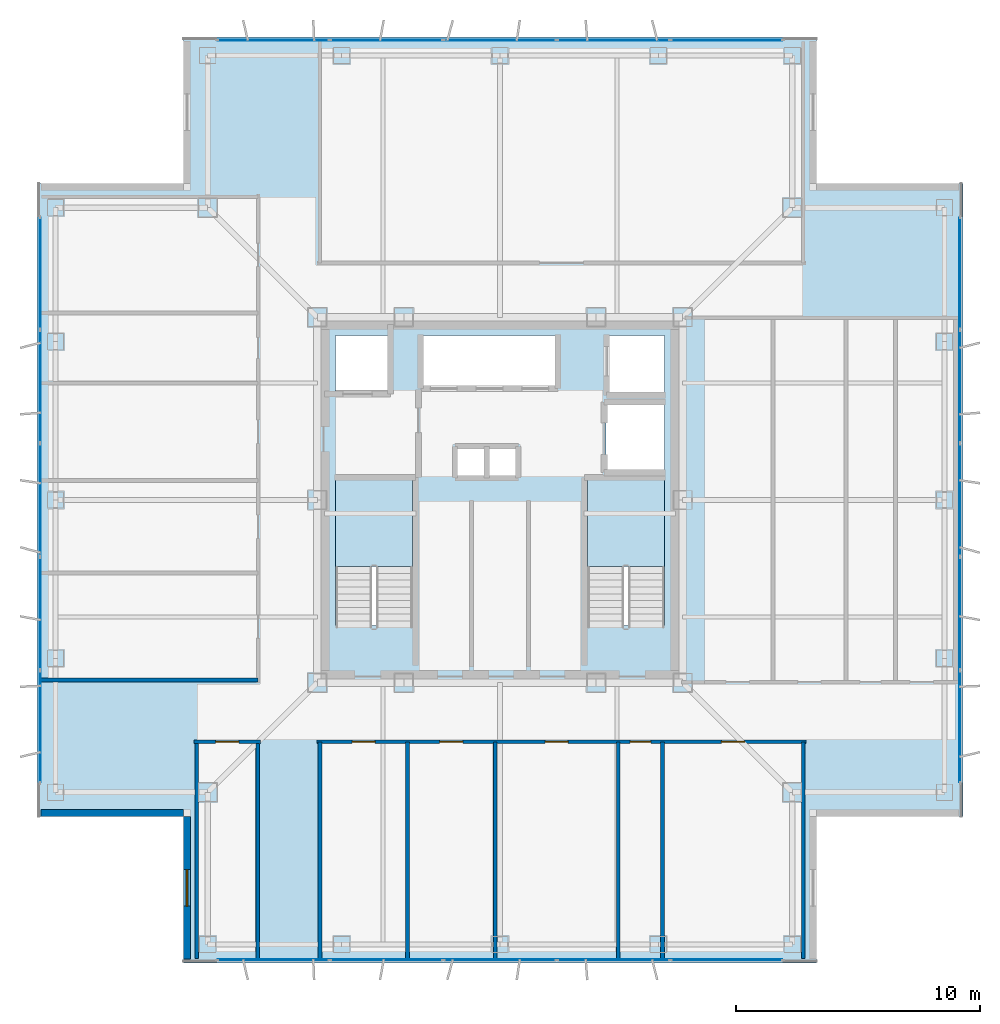
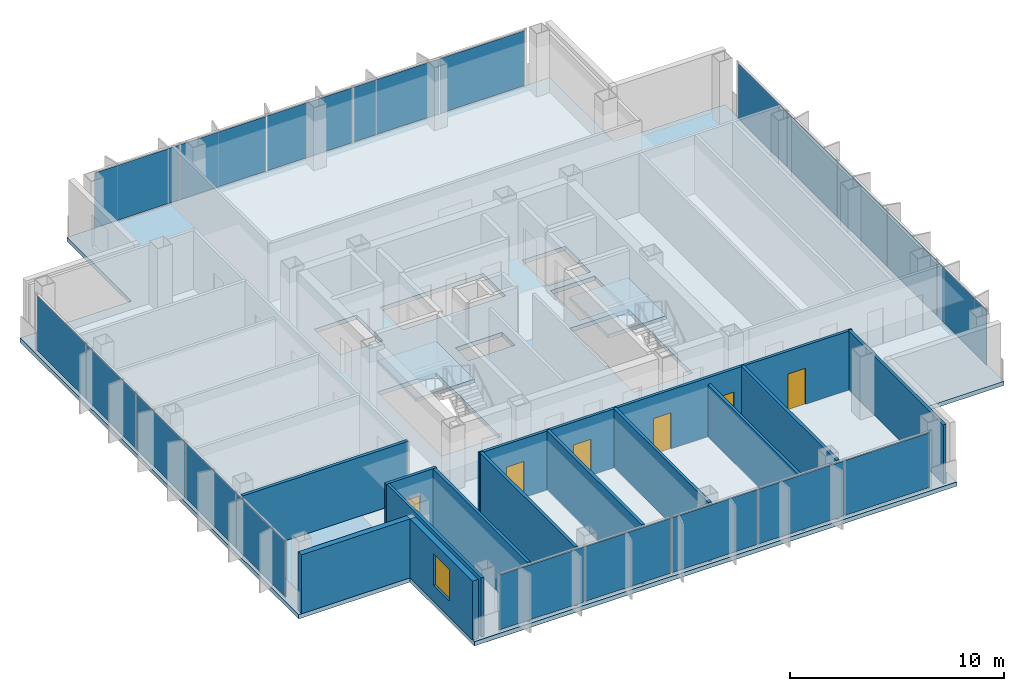
# One storey, part 7 of 15: 20 plates, 13 walls, 6 doors, 3 slabs, 1 window, 7 openings, 6 elements without a shape of their own.
"""IFC4 building model written with IfcOpenShell, lengths in metres."""

from ifc_helpers import new_model, si_unit, direction, frame, frame_2d, origin, origin_2d, place, context, subcontext, project, spatial, polyline, rectangle, outline, extrude, material, layer, layer_set, type_object, element, fill, aggregate, save


model = new_model("IFC4")

# Units and contexts
model_context = context("Model", 3, precision=1e-05, world=origin(), true_north=direction((0.0, 1.0)))
body_context = subcontext(model_context, "Body", "Model", "MODEL_VIEW")
ifc_project = project(units=[si_unit("LENGTHUNIT", "METRE"), si_unit("AREAUNIT", "SQUARE_METRE"), si_unit("VOLUMEUNIT", "CUBIC_METRE"), si_unit("PLANEANGLEUNIT", "RADIAN"), si_unit("MASSUNIT", "GRAM", prefix="KILO")], contexts=[model_context])

# Site, building, storey
site_placement = place(None, origin())
site = spatial("IfcSite", under=ifc_project, at=site_placement, CompositionType="ELEMENT")
building_placement = place(site_placement, origin())
building = spatial("IfcBuilding", under=site, at=building_placement, Name="Trevonay Congress Spire", CompositionType="ELEMENT")
storey_placement = place(building_placement, frame((0.0, 0.0, 293.60009765625)))
storey = spatial("IfcBuildingStorey", under=building, at=storey_placement, Name="L77", CompositionType="ELEMENT", Elevation=293.60009765625)

# Curtain wall, plates
ifc_material_1 = material(Name="Pale Anodised Aluminium EN AW-6063-T6", Category="aluminium")
ifc_layer_1 = layer(ifc_material_1, 0.1650390625, Name="Pale Anodised Aluminium EN AW-6063-T6")
ifc_layer_set_1 = layer_set([ifc_layer_1], Name="Pale Anodised Aluminium EN AW-6063-T6")
curtain_wall_type = type_object("IfcCurtainWallType", Name="CW-SYS05-DIPLOM-PALE-METAL", PredefinedType="NOTDEFINED", material=ifc_layer_set_1)
curtain_wall_1_placement = place(storey_placement, origin())
curtain_wall_1 = element("IfcCurtainWall", 1, at=curtain_wall_1_placement, inside=storey, type_object=curtain_wall_type, Name="L77 S unitised curtain wall", PredefinedType="NOTDEFINED")
ifc_material_2 = material(Name="Insulated Low-E Vision Glass IGU", Category="glass")
ifc_layer_2 = layer(ifc_material_2, 0.035888671875, Name="Insulated Low-E Vision Glass IGU")
ifc_layer_set_2 = layer_set([ifc_layer_2], Name="Insulated Low-E Vision Glass IGU")
plate_type = type_object("IfcPlateType", Name="CW-PANEL-IGU36-SILVER", PredefinedType="CURTAIN_PANEL", material=ifc_layer_set_2)
plate_1_placement = place(storey_placement, frame((-9.304931640625, -18.8798828125, 0.119873046875), z_axis=(0.0, 0.0, 1.0), x_axis=(1.0, 0.0, 0.0)))
plate_1 = element("IfcPlate", 2, at=plate_1_placement, type_object=plate_type, Name="CW05 panel 1.1", PredefinedType="CURTAIN_PANEL", context=body_context, shape_type="SweptSolid", body=[
    extrude(rectangle(XDim=4.570068359375, YDim=0.035888671875, at=origin_2d()), origin(), (0.0, 0.0, 1.0), 3.1201171875),
])
plate_2_placement = place(storey_placement, frame((-4.659912109375, -18.8798828125, 0.119873046875), z_axis=(0.0, 0.0, 1.0), x_axis=(1.0, 0.0, 0.0)))
plate_2 = element("IfcPlate", 3, at=plate_2_placement, type_object=plate_type, Name="CW05 panel 2.1", PredefinedType="CURTAIN_PANEL", context=body_context, shape_type="SweptSolid", body=[
    extrude(rectangle(XDim=4.60009765625, YDim=0.035888671875, at=origin_2d()), origin(), (0.0, 0.0, 1.0), 3.1201171875),
])
plate_3_placement = place(storey_placement, frame((0.0, -18.8798828125, 0.119873046875), z_axis=(0.0, 0.0, 1.0), x_axis=(1.0, 0.0, 0.0)))
plate_3 = element("IfcPlate", 4, at=plate_3_placement, type_object=plate_type, Name="CW05 panel 3.1", PredefinedType="CURTAIN_PANEL", context=body_context, shape_type="SweptSolid", body=[
    extrude(rectangle(XDim=4.60009765625, YDim=0.035888671875, at=origin_2d()), origin(), (0.0, 0.0, 1.0), 3.1201171875),
])
plate_4_placement = place(storey_placement, frame((4.659912109375, -18.8798828125, 0.119873046875), z_axis=(0.0, 0.0, 1.0), x_axis=(1.0, 0.0, 0.0)))
plate_4 = element("IfcPlate", 5, at=plate_4_placement, type_object=plate_type, Name="CW05 panel 4.1", PredefinedType="CURTAIN_PANEL", context=body_context, shape_type="SweptSolid", body=[
    extrude(rectangle(XDim=4.60009765625, YDim=0.035888671875, at=origin_2d()), origin(), (0.0, 0.0, 1.0), 3.1201171875),
])
plate_5_placement = place(storey_placement, frame((9.304931640625, -18.8798828125, 0.119873046875), z_axis=(0.0, 0.0, 1.0), x_axis=(1.0, 0.0, 0.0)))
plate_5 = element("IfcPlate", 6, at=plate_5_placement, type_object=plate_type, Name="CW05 panel 5.1", PredefinedType="CURTAIN_PANEL", context=body_context, shape_type="SweptSolid", body=[
    extrude(rectangle(XDim=4.570068359375, YDim=0.035888671875, at=origin_2d()), origin(), (0.0, 0.0, 1.0), 3.1201171875),
])
aggregate(curtain_wall_1, [plate_1, plate_2, plate_3, plate_4, plate_5])

curtain_wall_2_placement = place(storey_placement, origin())
curtain_wall_2 = element("IfcCurtainWall", 7, at=curtain_wall_2_placement, inside=storey, type_object=curtain_wall_type, Name="L77 N unitised curtain wall", PredefinedType="NOTDEFINED")
plate_6_placement = place(storey_placement, frame((-9.304931640625, 18.8798828125, 0.119873046875), z_axis=(0.0, 0.0, 1.0), x_axis=(1.0, 0.0, 0.0)))
plate_6 = element("IfcPlate", 8, at=plate_6_placement, type_object=plate_type, Name="CW05 panel 1.1", PredefinedType="CURTAIN_PANEL", context=body_context, shape_type="SweptSolid", body=[
    extrude(rectangle(XDim=4.570068359375, YDim=0.035888671875, at=origin_2d()), origin(), (0.0, 0.0, 1.0), 3.1201171875),
])
plate_7_placement = place(storey_placement, frame((-4.659912109375, 18.8798828125, 0.119873046875), z_axis=(0.0, 0.0, 1.0), x_axis=(1.0, 0.0, 0.0)))
plate_7 = element("IfcPlate", 9, at=plate_7_placement, type_object=plate_type, Name="CW05 panel 2.1", PredefinedType="CURTAIN_PANEL", context=body_context, shape_type="SweptSolid", body=[
    extrude(rectangle(XDim=4.60009765625, YDim=0.035888671875, at=origin_2d()), origin(), (0.0, 0.0, 1.0), 3.1201171875),
])
plate_8_placement = place(storey_placement, frame((0.0, 18.8798828125, 0.119873046875), z_axis=(0.0, 0.0, 1.0), x_axis=(1.0, 0.0, 0.0)))
plate_8 = element("IfcPlate", 10, at=plate_8_placement, type_object=plate_type, Name="CW05 panel 3.1", PredefinedType="CURTAIN_PANEL", context=body_context, shape_type="SweptSolid", body=[
    extrude(rectangle(XDim=4.60009765625, YDim=0.035888671875, at=origin_2d()), origin(), (0.0, 0.0, 1.0), 3.1201171875),
])
plate_9_placement = place(storey_placement, frame((4.659912109375, 18.8798828125, 0.119873046875), z_axis=(0.0, 0.0, 1.0), x_axis=(1.0, 0.0, 0.0)))
plate_9 = element("IfcPlate", 11, at=plate_9_placement, type_object=plate_type, Name="CW05 panel 4.1", PredefinedType="CURTAIN_PANEL", context=body_context, shape_type="SweptSolid", body=[
    extrude(rectangle(XDim=4.60009765625, YDim=0.035888671875, at=origin_2d()), origin(), (0.0, 0.0, 1.0), 3.1201171875),
])
plate_10_placement = place(storey_placement, frame((9.304931640625, 18.8798828125, 0.119873046875), z_axis=(0.0, 0.0, 1.0), x_axis=(1.0, 0.0, 0.0)))
plate_10 = element("IfcPlate", 12, at=plate_10_placement, type_object=plate_type, Name="CW05 panel 5.1", PredefinedType="CURTAIN_PANEL", context=body_context, shape_type="SweptSolid", body=[
    extrude(rectangle(XDim=4.570068359375, YDim=0.035888671875, at=origin_2d()), origin(), (0.0, 0.0, 1.0), 3.1201171875),
])
aggregate(curtain_wall_2, [plate_6, plate_7, plate_8, plate_9, plate_10])

curtain_wall_3_placement = place(storey_placement, origin())
curtain_wall_3 = element("IfcCurtainWall", 13, at=curtain_wall_3_placement, inside=storey, type_object=curtain_wall_type, Name="L77 W unitised curtain wall", PredefinedType="NOTDEFINED")
plate_11_placement = place(storey_placement, frame((-18.8798828125, -9.304931640625, 0.119873046875), z_axis=(0.0, 0.0, 1.0), x_axis=(0.0, 1.0, 0.0)))
plate_11 = element("IfcPlate", 14, at=plate_11_placement, type_object=plate_type, Name="CW05 panel 1.1", PredefinedType="CURTAIN_PANEL", context=body_context, shape_type="SweptSolid", body=[
    extrude(rectangle(XDim=4.570068359375, YDim=0.035888671875, at=origin_2d()), origin(), (0.0, 0.0, 1.0), 3.1201171875),
])
plate_12_placement = place(storey_placement, frame((-18.8798828125, -4.659912109375, 0.119873046875), z_axis=(0.0, 0.0, 1.0), x_axis=(0.0, 1.0, 0.0)))
plate_12 = element("IfcPlate", 15, at=plate_12_placement, type_object=plate_type, Name="CW05 panel 2.1", PredefinedType="CURTAIN_PANEL", context=body_context, shape_type="SweptSolid", body=[
    extrude(rectangle(XDim=4.60009765625, YDim=0.035888671875, at=origin_2d()), origin(), (0.0, 0.0, 1.0), 3.1201171875),
])
plate_13_placement = place(storey_placement, frame((-18.8798828125, 0.0, 0.119873046875), z_axis=(0.0, 0.0, 1.0), x_axis=(0.0, 1.0, 0.0)))
plate_13 = element("IfcPlate", 16, at=plate_13_placement, type_object=plate_type, Name="CW05 panel 3.1", PredefinedType="CURTAIN_PANEL", context=body_context, shape_type="SweptSolid", body=[
    extrude(rectangle(XDim=4.60009765625, YDim=0.035888671875, at=origin_2d()), origin(), (0.0, 0.0, 1.0), 3.1201171875),
])
plate_14_placement = place(storey_placement, frame((-18.8798828125, 4.659912109375, 0.119873046875), z_axis=(0.0, 0.0, 1.0), x_axis=(0.0, 1.0, 0.0)))
plate_14 = element("IfcPlate", 17, at=plate_14_placement, type_object=plate_type, Name="CW05 panel 4.1", PredefinedType="CURTAIN_PANEL", context=body_context, shape_type="SweptSolid", body=[
    extrude(rectangle(XDim=4.60009765625, YDim=0.035888671875, at=origin_2d()), origin(), (0.0, 0.0, 1.0), 3.1201171875),
])
plate_15_placement = place(storey_placement, frame((-18.8798828125, 9.304931640625, 0.119873046875), z_axis=(0.0, 0.0, 1.0), x_axis=(0.0, 1.0, 0.0)))
plate_15 = element("IfcPlate", 18, at=plate_15_placement, type_object=plate_type, Name="CW05 panel 5.1", PredefinedType="CURTAIN_PANEL", context=body_context, shape_type="SweptSolid", body=[
    extrude(rectangle(XDim=4.570068359375, YDim=0.035888671875, at=origin_2d()), origin(), (0.0, 0.0, 1.0), 3.1201171875),
])
aggregate(curtain_wall_3, [plate_11, plate_12, plate_13, plate_14, plate_15])

curtain_wall_4_placement = place(storey_placement, origin())
curtain_wall_4 = element("IfcCurtainWall", 19, at=curtain_wall_4_placement, inside=storey, type_object=curtain_wall_type, Name="L77 E unitised curtain wall", PredefinedType="NOTDEFINED")
plate_16_placement = place(storey_placement, frame((18.8798828125, -9.304931640625, 0.119873046875), z_axis=(0.0, 0.0, 1.0), x_axis=(0.0, 1.0, 0.0)))
plate_16 = element("IfcPlate", 20, at=plate_16_placement, type_object=plate_type, Name="CW05 panel 1.1", PredefinedType="CURTAIN_PANEL", context=body_context, shape_type="SweptSolid", body=[
    extrude(rectangle(XDim=4.570068359375, YDim=0.035888671875, at=origin_2d()), origin(), (0.0, 0.0, 1.0), 3.1201171875),
])
plate_17_placement = place(storey_placement, frame((18.8798828125, -4.659912109375, 0.119873046875), z_axis=(0.0, 0.0, 1.0), x_axis=(0.0, 1.0, 0.0)))
plate_17 = element("IfcPlate", 21, at=plate_17_placement, type_object=plate_type, Name="CW05 panel 2.1", PredefinedType="CURTAIN_PANEL", context=body_context, shape_type="SweptSolid", body=[
    extrude(rectangle(XDim=4.60009765625, YDim=0.035888671875, at=origin_2d()), origin(), (0.0, 0.0, 1.0), 3.1201171875),
])
plate_18_placement = place(storey_placement, frame((18.8798828125, 0.0, 0.119873046875), z_axis=(0.0, 0.0, 1.0), x_axis=(0.0, 1.0, 0.0)))
plate_18 = element("IfcPlate", 22, at=plate_18_placement, type_object=plate_type, Name="CW05 panel 3.1", PredefinedType="CURTAIN_PANEL", context=body_context, shape_type="SweptSolid", body=[
    extrude(rectangle(XDim=4.60009765625, YDim=0.035888671875, at=origin_2d()), origin(), (0.0, 0.0, 1.0), 3.1201171875),
])
plate_19_placement = place(storey_placement, frame((18.8798828125, 4.659912109375, 0.119873046875), z_axis=(0.0, 0.0, 1.0), x_axis=(0.0, 1.0, 0.0)))
plate_19 = element("IfcPlate", 23, at=plate_19_placement, type_object=plate_type, Name="CW05 panel 4.1", PredefinedType="CURTAIN_PANEL", context=body_context, shape_type="SweptSolid", body=[
    extrude(rectangle(XDim=4.60009765625, YDim=0.035888671875, at=origin_2d()), origin(), (0.0, 0.0, 1.0), 3.1201171875),
])
plate_20_placement = place(storey_placement, frame((18.8798828125, 9.304931640625, 0.119873046875), z_axis=(0.0, 0.0, 1.0), x_axis=(0.0, 1.0, 0.0)))
plate_20 = element("IfcPlate", 24, at=plate_20_placement, type_object=plate_type, Name="CW05 panel 5.1", PredefinedType="CURTAIN_PANEL", context=body_context, shape_type="SweptSolid", body=[
    extrude(rectangle(XDim=4.570068359375, YDim=0.035888671875, at=origin_2d()), origin(), (0.0, 0.0, 1.0), 3.1201171875),
])
aggregate(curtain_wall_4, [plate_16, plate_17, plate_18, plate_19, plate_20])

# Stair, slab
ifc_material_3 = material(Name="Concrete C40/50", Category="concrete")
stair_type_1 = type_object("IfcStairType", Name="STR-ST-1", PredefinedType="HALF_TURN_STAIR", material=ifc_material_3)
stair_1_placement = place(storey_placement, origin())
stair_1 = element("IfcStair", 25, at=stair_1_placement, inside=storey, type_object=stair_type_1, Name="L77 Protected Exit Stair ST-1", PredefinedType="HALF_TURN_STAIR")
ifc_layer_3 = layer(ifc_material_3, 0.199951171875, Name="Concrete C40/50")
ifc_layer_set_3 = layer_set([ifc_layer_3], Name="Concrete C40/50")
slab_type_1 = type_object("IfcSlabType", Name="SLB-STAIR-LAND-200", PredefinedType="LANDING", material=ifc_layer_set_3)
slab_1_placement = place(storey_placement, frame((0.0, 0.0, 1.599853515625)))
slab_1 = element("IfcSlab", 26, at=slab_1_placement, type_object=slab_type_1, Name="ST-1 landing 1", PredefinedType="LANDING", context=body_context, shape_type="SweptSolid", body=[
    extrude(outline(polyline([(-3.60009765625, -2.72998046875), (-3.60009765625, 0.85009765625), (-6.75, 0.85009765625), (-6.75, -2.72998046875), (-3.60009765625, -2.72998046875)])), origin(), (0.0, 0.0, 1.0), 0.199951171875),
])
aggregate(stair_1, [slab_1])

stair_type_2 = type_object("IfcStairType", Name="STR-ST-2", PredefinedType="HALF_TURN_STAIR", material=ifc_material_3)
stair_2_placement = place(storey_placement, origin())
stair_2 = element("IfcStair", 27, at=stair_2_placement, inside=storey, type_object=stair_type_2, Name="L77 Protected Exit Stair ST-2", PredefinedType="HALF_TURN_STAIR")
slab_2_placement = place(storey_placement, frame((0.0, 0.0, 1.599853515625)))
slab_2 = element("IfcSlab", 28, at=slab_2_placement, type_object=slab_type_1, Name="ST-2 landing 1", PredefinedType="LANDING", context=body_context, shape_type="SweptSolid", body=[
    extrude(outline(polyline([(6.75, -2.72998046875), (6.75, 0.85009765625), (3.60009765625, 0.85009765625), (3.60009765625, -2.72998046875), (6.75, -2.72998046875)])), origin(), (0.0, 0.0, 1.0), 0.199951171875),
])
aggregate(stair_2, [slab_2])

# Slab
ifc_layer_4 = layer(ifc_material_3, 0.239990234375, Name="Concrete C40/50")
ifc_layer_set_4 = layer_set([ifc_layer_4], Name="Concrete C40/50")
slab_type_2 = type_object("IfcSlabType", Name="SLB-TOW2-240", PredefinedType="FLOOR", material=ifc_layer_set_4)
slab_3_placement = place(storey_placement, frame((0.0, 0.0, -0.239990234375)))
element("IfcSlab", 29, at=slab_3_placement, inside=storey, type_object=slab_type_2, Name="L77 structural floor slab", PredefinedType="FLOOR", context=body_context, shape_type="SweptSolid", body=[
    extrude(outline(polyline([(-13.0, -19.0), (13.0, -19.0), (13.0, -13.0), (19.0, -13.0), (19.0, 13.0), (13.0, 13.0), (13.0, 19.0), (-13.0, 19.0), (-13.0, 13.0), (-19.0, 13.0), (-19.0, -13.0), (-13.0, -13.0), (-13.0, -19.0)]), holes=[polyline([(-3.60009765625, -5.14990234375), (-3.60009765625, 0.85009765625), (-6.75, 0.85009765625), (-6.75, -5.14990234375), (-3.60009765625, -5.14990234375)]), polyline([(6.75, -5.14990234375), (6.75, 0.85009765625), (3.60009765625, 0.85009765625), (3.60009765625, -5.14990234375), (6.75, -5.14990234375)]), polyline([(-3.199951171875, 4.64990234375), (2.340087890625, 4.64990234375), (2.340087890625, 6.75), (-3.199951171875, 6.75), (-3.199951171875, 4.64990234375)]), polyline([(-6.75, 4.35009765625), (-4.449951171875, 4.35009765625), (-4.449951171875, 6.75), (-6.75, 6.75), (-6.75, 4.35009765625)]), polyline([(4.449951171875, 4.35009765625), (6.75, 4.35009765625), (6.75, 6.75), (4.449951171875, 6.75), (4.449951171875, 4.35009765625)]), polyline([(4.35009765625, 1.199951171875), (6.75, 1.199951171875), (6.75, 3.949951171875), (4.35009765625, 3.949951171875), (4.35009765625, 1.199951171875)]), polyline([(-1.800048828125, 0.949951171875), (0.699951171875, 0.949951171875), (0.699951171875, 2.14990234375), (-1.800048828125, 2.14990234375), (-1.800048828125, 0.949951171875)])]), origin(), (0.0, 0.0, 1.0), 0.239990234375),
])

# Wall, opening, door
ifc_layer_5 = layer(ifc_material_3, 0.14990234375, Name="Concrete C40/50")
ifc_layer_set_5 = layer_set([ifc_layer_5], Name="Concrete C40/50")
wall_type_1 = type_object("IfcWallType", Name="WAL-CORR-150", PredefinedType="PARTITIONING", material=ifc_layer_set_5)
wall_1_placement = place(storey_placement, frame((-12.570068359375, -9.929931640625, 0.0), z_axis=(0.0, 0.0, 1.0), x_axis=(1.0, 0.0, 0.0)))
wall_1 = element("IfcWall", 30, at=wall_1_placement, inside=storey, type_object=wall_type_1, Name="L77 interior wall WP-L77SW-COR", PredefinedType="PARTITIONING", context=body_context, shape_type="SweptSolid", body=[
    extrude(rectangle(XDim=2.739990234375, YDim=0.14990234375, at=frame_2d((1.3701171875, 0.0))), origin(), (0.0, 0.0, 1.0), 3.35986328125),
])
opening_1_placement = place(wall_1_placement, frame((0.89501953125, 0.0, 0.0)))
opening_1 = element("IfcOpeningElement", 31, at=opening_1_placement, cuts=wall_1, Name="Opening D07", PredefinedType="OPENING", context=body_context, shape_type="SweptSolid", body=[
    extrude(rectangle(XDim=0.949951171875, YDim=2.06005859375, at=frame_2d((0.47509765625, 1.030029296875))), frame((0.0, 0.0849609375, 0.0), z_axis=(0.0, -1.0, 0.0), x_axis=(1.0, 0.0, 0.0)), (0.0, 0.0, 1.0), 0.169921875),
])
door_type_1 = type_object("IfcDoorType", Name="DOR-OFFICE-95", OperationType="NOTDEFINED", PredefinedType="DOOR", material=ifc_material_1)
door_1_placement = place(opening_1_placement, origin())
door_1 = element("IfcDoor", 32, at=door_1_placement, inside=storey, type_object=door_type_1, Name="L77 Sommelier Reserve Tasting Kitchen Door", OperationType="SINGLE_SWING_LEFT", OverallHeight=2.06005859375, OverallWidth=0.949951171875, PredefinedType="DOOR", context=body_context, shape_type="SweptSolid", body=[
    extrude(rectangle(XDim=0.949951171875, YDim=2.06005859375, at=frame_2d((0.47509765625, 1.030029296875))), frame((0.0, 0.02490234375, 0.0), z_axis=(0.0, -1.0, 0.0), x_axis=(1.0, 0.0, 0.0)), (0.0, 0.0, 1.0), 0.050048828125),
])
fill(opening_1, door_1)

# Wall, openings, doors
wall_2_placement = place(storey_placement, frame((-7.52001953125, -9.929931640625, 0.0), z_axis=(0.0, 0.0, 1.0), x_axis=(1.0, 0.0, 0.0)))
wall_2 = element("IfcWall", 33, at=wall_2_placement, inside=storey, type_object=wall_type_1, Name="L77 interior wall WP-L77SE-COR", PredefinedType="PARTITIONING", context=body_context, shape_type="SweptSolid", body=[
    extrude(rectangle(XDim=20.090087890625, YDim=0.14990234375, at=frame_2d((10.044921875, 0.0))), origin(), (0.0, 0.0, 1.0), 3.35986328125),
])
opening_2_placement = place(wall_2_placement, frame((1.445068359375, 0.0, 0.0)))
opening_2 = element("IfcOpeningElement", 34, at=opening_2_placement, cuts=wall_2, Name="Opening D07", PredefinedType="OPENING", context=body_context, shape_type="SweptSolid", body=[
    extrude(rectangle(XDim=0.949951171875, YDim=2.06005859375, at=frame_2d((0.47509765625, 1.030029296875))), frame((0.0, 0.0849609375, 0.0), z_axis=(0.0, -1.0, 0.0), x_axis=(1.0, 0.0, 0.0)), (0.0, 0.0, 1.0), 0.169921875),
])
opening_3_placement = place(wall_2_placement, frame((5.044921875, 0.0, 0.0)))
opening_3 = element("IfcOpeningElement", 35, at=opening_3_placement, cuts=wall_2, Name="Opening D07", PredefinedType="OPENING", context=body_context, shape_type="SweptSolid", body=[
    extrude(rectangle(XDim=0.949951171875, YDim=2.06005859375, at=frame_2d((0.47509765625, 1.030029296875))), frame((0.0, 0.0849609375, 0.0), z_axis=(0.0, -1.0, 0.0), x_axis=(1.0, 0.0, 0.0)), (0.0, 0.0, 1.0), 0.169921875),
])
opening_4_placement = place(wall_2_placement, frame((9.3701171875, 0.0, 0.0)))
opening_4 = element("IfcOpeningElement", 36, at=opening_4_placement, cuts=wall_2, Name="Opening D07", PredefinedType="OPENING", context=body_context, shape_type="SweptSolid", body=[
    extrude(rectangle(XDim=0.949951171875, YDim=2.06005859375, at=frame_2d((0.47509765625, 1.030029296875))), frame((0.0, 0.0849609375, 0.0), z_axis=(0.0, -1.0, 0.0), x_axis=(1.0, 0.0, 0.0)), (0.0, 0.0, 1.0), 0.169921875),
])
opening_5_placement = place(wall_2_placement, frame((12.860107421875, 0.0, 0.0)))
opening_5 = element("IfcOpeningElement", 37, at=opening_5_placement, cuts=wall_2, Name="Opening D10", PredefinedType="OPENING", context=body_context, shape_type="SweptSolid", body=[
    extrude(rectangle(XDim=0.85009765625, YDim=2.050048828125, at=frame_2d((0.425048828125, 1.02490234375))), frame((0.0, 0.0849609375, 0.0), z_axis=(0.0, -1.0, 0.0), x_axis=(1.0, 0.0, 0.0)), (0.0, 0.0, 1.0), 0.169921875),
])
opening_6_placement = place(wall_2_placement, frame((16.610107421875, 0.0, 0.0)))
opening_6 = element("IfcOpeningElement", 38, at=opening_6_placement, cuts=wall_2, Name="Opening D07", PredefinedType="OPENING", context=body_context, shape_type="SweptSolid", body=[
    extrude(rectangle(XDim=0.949951171875, YDim=2.06005859375, at=frame_2d((0.47509765625, 1.030029296875))), frame((0.0, 0.0849609375, 0.0), z_axis=(0.0, -1.0, 0.0), x_axis=(1.0, 0.0, 0.0)), (0.0, 0.0, 1.0), 0.169921875),
])
door_2_placement = place(opening_2_placement, origin())
door_2 = element("IfcDoor", 39, at=door_2_placement, inside=storey, type_object=door_type_1, Name="L77 Sky Brasserie Show Kitchen Door", OperationType="SINGLE_SWING_RIGHT", OverallHeight=2.06005859375, OverallWidth=0.949951171875, PredefinedType="DOOR", context=body_context, shape_type="SweptSolid", body=[
    extrude(rectangle(XDim=0.949951171875, YDim=2.06005859375, at=frame_2d((0.47509765625, 1.030029296875))), frame((0.0, 0.02490234375, 0.0), z_axis=(0.0, -1.0, 0.0), x_axis=(1.0, 0.0, 0.0)), (0.0, 0.0, 1.0), 0.050048828125),
])
fill(opening_2, door_2)
door_3_placement = place(opening_3_placement, origin())
door_3 = element("IfcDoor", 40, at=door_3_placement, inside=storey, type_object=door_type_1, Name="L77 Pastry Studio Kitchen Door", OperationType="SINGLE_SWING_LEFT", OverallHeight=2.06005859375, OverallWidth=0.949951171875, PredefinedType="DOOR", context=body_context, shape_type="SweptSolid", body=[
    extrude(rectangle(XDim=0.949951171875, YDim=2.06005859375, at=frame_2d((0.47509765625, 1.030029296875))), frame((0.0, 0.02490234375, 0.0), z_axis=(0.0, -1.0, 0.0), x_axis=(1.0, 0.0, 0.0)), (0.0, 0.0, 1.0), 0.050048828125),
])
fill(opening_3, door_3)
door_4_placement = place(opening_4_placement, origin())
door_4 = element("IfcDoor", 41, at=door_4_placement, inside=storey, type_object=door_type_1, Name="L77 Espresso Roastery Bar Door", OperationType="SINGLE_SWING_RIGHT", OverallHeight=2.06005859375, OverallWidth=0.949951171875, PredefinedType="DOOR", context=body_context, shape_type="SweptSolid", body=[
    extrude(rectangle(XDim=0.949951171875, YDim=2.06005859375, at=frame_2d((0.47509765625, 1.030029296875))), frame((0.0, 0.02490234375, 0.0), z_axis=(0.0, -1.0, 0.0), x_axis=(1.0, 0.0, 0.0)), (0.0, 0.0, 1.0), 0.050048828125),
])
fill(opening_4, door_4)
door_5_placement = place(opening_6_placement, origin())
door_5 = element("IfcDoor", 42, at=door_5_placement, inside=storey, type_object=door_type_1, Name="L77 Floor Supplies and Copy Room Door", OperationType="SINGLE_SWING_RIGHT", OverallHeight=2.06005859375, OverallWidth=0.949951171875, PredefinedType="DOOR", context=body_context, shape_type="SweptSolid", body=[
    extrude(rectangle(XDim=0.949951171875, YDim=2.06005859375, at=frame_2d((0.47509765625, 1.030029296875))), frame((0.0, 0.02490234375, 0.0), z_axis=(0.0, -1.0, 0.0), x_axis=(1.0, 0.0, 0.0)), (0.0, 0.0, 1.0), 0.050048828125),
])
fill(opening_6, door_5)
door_type_2 = type_object("IfcDoorType", Name="DOR-WC-85", OperationType="NOTDEFINED", PredefinedType="DOOR", material=ifc_material_1)
door_6_placement = place(opening_5_placement, origin())
door_6 = element("IfcDoor", 43, at=door_6_placement, inside=storey, type_object=door_type_2, Name="L77 Accessible WC Door", OperationType="SINGLE_SWING_LEFT", OverallHeight=2.050048828125, OverallWidth=0.85009765625, PredefinedType="DOOR", context=body_context, shape_type="SweptSolid", body=[
    extrude(rectangle(XDim=0.85009765625, YDim=2.050048828125, at=frame_2d((0.425048828125, 1.02490234375))), frame((0.0, 0.02490234375, 0.0), z_axis=(0.0, -1.0, 0.0), x_axis=(1.0, 0.0, 0.0)), (0.0, 0.0, 1.0), 0.050048828125),
])
fill(opening_5, door_6)

# Wall, opening, window
ifc_material_4 = material(Name="Precast concrete C40/50", Category="concrete")
ifc_layer_6 = layer(ifc_material_4, 0.300048828125, Name="Precast concrete C40/50")
ifc_layer_set_6 = layer_set([ifc_layer_6], Name="Precast concrete C40/50")
wall_type_2 = type_object("IfcWallType", Name="WAL-EXT-PRECAST-300", PredefinedType="SOLIDWALL", material=ifc_layer_set_6)
wall_3_placement = place(storey_placement, frame((-12.85009765625, -18.85009765625, 0.0), z_axis=(0.0, 0.0, 1.0), x_axis=(0.0, 1.0, 0.0)))
wall_3 = element("IfcWall", 44, at=wall_3_placement, inside=storey, type_object=wall_type_2, Name="L77 SW re-entrant notch exterior wall 1", PredefinedType="SOLIDWALL", context=body_context, shape_type="SweptSolid", body=[
    extrude(rectangle(XDim=5.85009765625, YDim=0.300048828125, at=frame_2d((2.925048828125, 0.0))), origin(), (0.0, 0.0, 1.0), 3.35986328125),
])
opening_7_placement = place(wall_3_placement, frame((2.175048828125, 0.0, 0.89990234375)))
opening_7 = element("IfcOpeningElement", 45, at=opening_7_placement, cuts=wall_3, Name="Opening WN03", PredefinedType="OPENING", context=body_context, shape_type="SweptSolid", body=[
    extrude(rectangle(XDim=1.5, YDim=1.800048828125, at=frame_2d((0.75, 0.89990234375))), frame((0.0, 0.16015625, 0.0), z_axis=(0.0, -1.0, 0.0), x_axis=(1.0, 0.0, 0.0)), (0.0, 0.0, 1.0), 0.320068359375),
])
window_type = type_object("IfcWindowType", Name="WIN-NOTCH-150X180", PartitioningType="SINGLE_PANEL", PredefinedType="WINDOW", material=ifc_material_2)
window_placement = place(opening_7_placement, origin())
window = element("IfcWindow", 46, at=window_placement, inside=storey, type_object=window_type, Name="L77 SW corner notch window", OverallHeight=1.800048828125, OverallWidth=1.5, PartitioningType="SINGLE_PANEL", PredefinedType="WINDOW", context=body_context, shape_type="SweptSolid", body=[
    extrude(rectangle(XDim=1.5, YDim=1.800048828125, at=frame_2d((0.75, 0.89990234375))), frame((0.0, 0.030029296875, 0.0), z_axis=(0.0, -1.0, 0.0), x_axis=(1.0, 0.0, 0.0)), (0.0, 0.0, 1.0), 0.06005859375),
])
fill(opening_7, window)

# Walls
wall_4_placement = place(storey_placement, frame((-18.85009765625, -12.85009765625, 0.0), z_axis=(0.0, 0.0, 1.0), x_axis=(1.0, 0.0, 0.0)))
element("IfcWall", 47, at=wall_4_placement, inside=storey, type_object=wall_type_2, Name="L77 SW re-entrant notch exterior wall 2", PredefinedType="SOLIDWALL", context=body_context, shape_type="SweptSolid", body=[
    extrude(rectangle(XDim=5.85009765625, YDim=0.300048828125, at=frame_2d((2.925048828125, 0.0))), origin(), (0.0, 0.0, 1.0), 3.35986328125),
])
ifc_layer_7 = layer(ifc_material_3, 0.14990234375, Name="Concrete C40/50")
ifc_layer_set_7 = layer_set([ifc_layer_7], Name="Concrete C40/50")
wall_type_3 = type_object("IfcWallType", Name="WAL-PART-150", PredefinedType="PARTITIONING", material=ifc_layer_set_7)
for number, where, z_axis, x_axis, name in (
    (48, (-12.449951171875, -18.820068359375, 0.0), (0.0, 0.0, 1.0), (0.0, 1.0, 0.0), "L77 interior wall WP-L77SW-DIV1"),
    (49, (-9.949951171875, -18.820068359375, 0.0), (0.0, 0.0, 1.0), (0.0, 1.0, 0.0), "L77 interior wall WP-L77SW-DIV2"),
    (50, (-0.199951171875, -18.820068359375, 0.0), (0.0, 0.0, 1.0), (0.0, 1.0, 0.0), "L77 interior wall WP-L77SE-DIV3"),
):
    element("IfcWall", number, at=place(storey_placement, frame(where, z_axis=z_axis, x_axis=x_axis)), inside=storey, type_object=wall_type_3, Name=name, PredefinedType="PARTITIONING", context=body_context, shape_type="SweptSolid", body=[
        extrude(rectangle(XDim=8.89013671875, YDim=0.14990234375, at=frame_2d((4.445068359375, 0.0))), origin(), (0.0, 0.0, 1.0), 3.35986328125),
    ])
wall_5_placement = place(storey_placement, frame((4.85009765625, -18.820068359375, 0.0), z_axis=(0.0, 0.0, 1.0), x_axis=(0.0, 1.0, 0.0)))
element("IfcWall", 51, at=wall_5_placement, inside=storey, type_object=wall_type_3, Name="L77 interior wall WP-L77SE-DIV4", PredefinedType="PARTITIONING", context=body_context, shape_type="SweptSolid", body=[
    extrude(rectangle(XDim=8.89013671875, YDim=0.14990234375, at=frame_2d((4.445068359375, 0.0))), origin(), (0.0, 0.0, 1.0), 2.976806640625),
])
wall_6_placement = place(storey_placement, frame((12.449951171875, -18.820068359375, 0.0), z_axis=(0.0, 0.0, 1.0), x_axis=(0.0, 1.0, 0.0)))
element("IfcWall", 52, at=wall_6_placement, inside=storey, type_object=wall_type_3, Name="L77 interior wall WP-L77SE-DIV5", PredefinedType="PARTITIONING", context=body_context, shape_type="SweptSolid", body=[
    extrude(rectangle(XDim=8.89013671875, YDim=0.14990234375, at=frame_2d((4.445068359375, 0.0))), origin(), (0.0, 0.0, 1.0), 3.35986328125),
])
ifc_layer_8 = layer(ifc_material_3, 0.1650390625, Name="Concrete C40/50")
ifc_layer_set_8 = layer_set([ifc_layer_8], Name="Concrete C40/50")
wall_type_4 = type_object("IfcWallType", Name="WAL-WET-165", PredefinedType="PLUMBINGWALL", material=ifc_layer_set_8)
for number, where, z_axis, x_axis, name in (
    (53, (6.679931640625, -18.820068359375, 0.0), (0.0, 0.0, 1.0), (0.0, 1.0, 0.0), "L77 interior wall WP-L77SE-WCS4"),
    (54, (-7.39990234375, -18.820068359375, 0.0), (0.0, 0.0, 1.0), (0.0, 1.0, 0.0), "L77 interior wall WP-L77SE-DIV1"),
    (55, (-3.800048828125, -18.820068359375, 0.0), (0.0, 0.0, 1.0), (0.0, 1.0, 0.0), "L77 interior wall WP-L77SE-DIV2"),
    (56, (-18.820068359375, -7.39990234375, 0.0), (0.0, 0.0, 1.0), (1.0, 0.0, 0.0), "L77 interior wall WP-L77NW-DIV1"),
):
    element("IfcWall", number, at=place(storey_placement, frame(where, z_axis=z_axis, x_axis=x_axis)), inside=storey, type_object=wall_type_4, Name=name, PredefinedType="PLUMBINGWALL", context=body_context, shape_type="SweptSolid", body=[
        extrude(rectangle(XDim=8.89013671875, YDim=0.1650390625, at=frame_2d((4.445068359375, 0.0))), origin(), (0.0, 0.0, 1.0), 3.35986328125),
    ])

save(model, "model.ifc")
